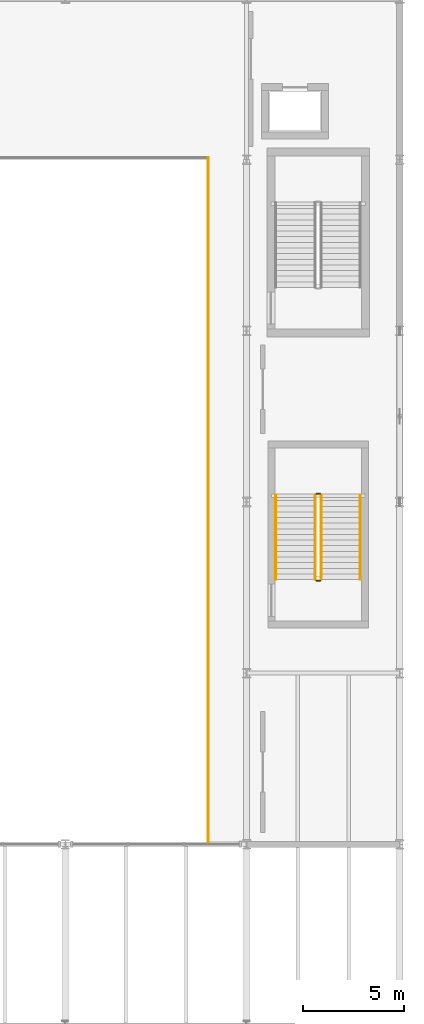
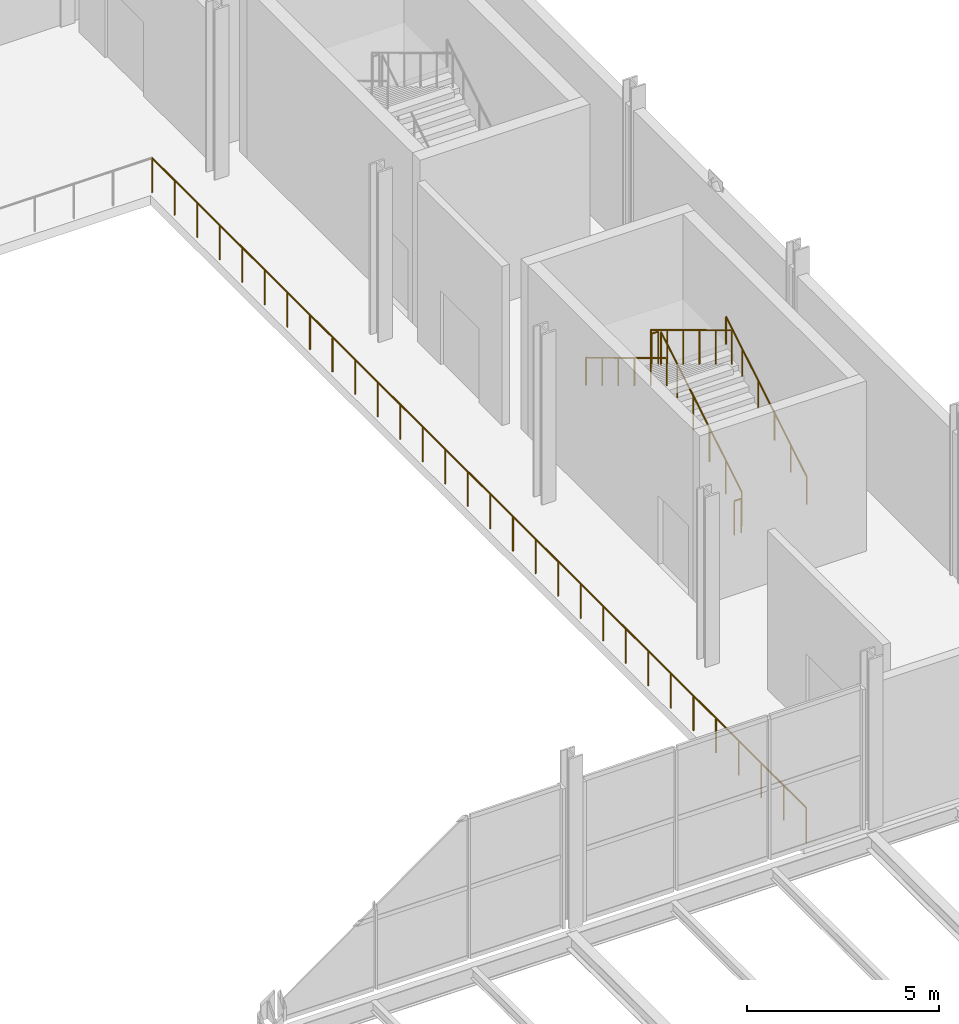
# One storey, part 76 of 78: 7 railings.
"""IFC4 building model written with IfcOpenShell, lengths in metres."""

from ifc_helpers import new_model, si_unit, direction, frame, origin, origin_2d, place, context, subcontext, project, spatial, circle, extrude, material, type_object, element, save


model = new_model("IFC4")

# Units and contexts
model_context = context("Model", 3, precision=1e-05, world=origin(), true_north=direction((0.0, 1.0)))
body_context = subcontext(model_context, "Body", "Model", "MODEL_VIEW")
ifc_project = project(units=[si_unit("LENGTHUNIT", "METRE"), si_unit("AREAUNIT", "SQUARE_METRE"), si_unit("VOLUMEUNIT", "CUBIC_METRE"), si_unit("PLANEANGLEUNIT", "RADIAN"), si_unit("MASSUNIT", "GRAM", prefix="KILO")], contexts=[model_context])

# Site, building, storey
site_placement = place(None, origin())
site = spatial("IfcSite", under=ifc_project, at=site_placement, CompositionType="ELEMENT")
building_placement = place(site_placement, origin())
building = spatial("IfcBuilding", under=site, at=building_placement, Name="Sefraquen Railside Congress Hotel", CompositionType="ELEMENT")
storey_placement = place(building_placement, frame((0.0, 0.0, 6.0)))
storey = spatial("IfcBuildingStorey", under=building, at=storey_placement, Name="L01", CompositionType="ELEMENT", Elevation=6.0)

# Railings
ifc_material = material(Name="Patinated wrought architectural bronze", Category="metal")
railing_type_1 = type_object("IfcRailingType", Name="TRL-BAL-110", PredefinedType="BALUSTRADE", material=ifc_material)
railing_1_placement = place(storey_placement, frame((162.5, 88.10009765625, 0.0)))
element("IfcRailing", 1, at=railing_1_placement, inside=storey, type_object=railing_type_1, Name="Grand Ballroom L01 VIP mezzanine gallery balustrade", PredefinedType="BALUSTRADE", context=body_context, shape_type="SweptSolid", body=[
    extrude(circle(Radius=0.02392578125, at=origin_2d()), frame((0.0, 0.0, 1.09619140625), z_axis=(0.0, -1.0, 0.0), x_axis=(1.0, 0.0, 0.0)), (0.0, 0.0, 1.0), 34.0),
    extrude(circle(Radius=0.02099609375, at=origin_2d()), origin(), (0.0, 0.0, 1.0), 1.072021484375),
    extrude(circle(Radius=0.02099609375, at=origin_2d()), frame((0.0, -1.17236328125, 0.0)), (0.0, 0.0, 1.0), 1.072021484375),
    extrude(circle(Radius=0.02099609375, at=origin_2d()), frame((0.0, -2.3447265625, 0.0)), (0.0, 0.0, 1.0), 1.072021484375),
    extrude(circle(Radius=0.02099609375, at=origin_2d()), frame((0.0, -3.517333984375, 0.0)), (0.0, 0.0, 1.0), 1.072021484375),
    extrude(circle(Radius=0.02099609375, at=origin_2d()), frame((0.0, -4.689697265625, 0.0)), (0.0, 0.0, 1.0), 1.072021484375),
    extrude(circle(Radius=0.02099609375, at=origin_2d()), frame((0.0, -5.862060546875, 0.0)), (0.0, 0.0, 1.0), 1.072021484375),
    extrude(circle(Radius=0.02099609375, at=origin_2d()), frame((0.0, -7.034423828125, 0.0)), (0.0, 0.0, 1.0), 1.072021484375),
    extrude(circle(Radius=0.02099609375, at=origin_2d()), frame((0.0, -8.206787109375, 0.0)), (0.0, 0.0, 1.0), 1.072021484375),
    extrude(circle(Radius=0.02099609375, at=origin_2d()), frame((0.0, -9.37939453125, 0.0)), (0.0, 0.0, 1.0), 1.072021484375),
    extrude(circle(Radius=0.02099609375, at=origin_2d()), frame((0.0, -10.5517578125, 0.0)), (0.0, 0.0, 1.0), 1.072021484375),
    extrude(circle(Radius=0.02099609375, at=origin_2d()), frame((0.0, -11.72412109375, 0.0)), (0.0, 0.0, 1.0), 1.072021484375),
    extrude(circle(Radius=0.02099609375, at=origin_2d()), frame((0.0, -12.896484375, 0.0)), (0.0, 0.0, 1.0), 1.072021484375),
    extrude(circle(Radius=0.02099609375, at=origin_2d()), frame((0.0, -14.06884765625, 0.0)), (0.0, 0.0, 1.0), 1.072021484375),
    extrude(circle(Radius=0.02099609375, at=origin_2d()), frame((0.0, -15.241455078125, 0.0)), (0.0, 0.0, 1.0), 1.072021484375),
    extrude(circle(Radius=0.02099609375, at=origin_2d()), frame((0.0, -16.413818359375, 0.0)), (0.0, 0.0, 1.0), 1.072021484375),
    extrude(circle(Radius=0.02099609375, at=origin_2d()), frame((0.0, -17.586181640625, 0.0)), (0.0, 0.0, 1.0), 1.072021484375),
    extrude(circle(Radius=0.02099609375, at=origin_2d()), frame((0.0, -18.758544921875, 0.0)), (0.0, 0.0, 1.0), 1.072021484375),
    extrude(circle(Radius=0.02099609375, at=origin_2d()), frame((0.0, -19.93115234375, 0.0)), (0.0, 0.0, 1.0), 1.072021484375),
    extrude(circle(Radius=0.02099609375, at=origin_2d()), frame((0.0, -21.103515625, 0.0)), (0.0, 0.0, 1.0), 1.072021484375),
    extrude(circle(Radius=0.02099609375, at=origin_2d()), frame((0.0, -22.27587890625, 0.0)), (0.0, 0.0, 1.0), 1.072021484375),
    extrude(circle(Radius=0.02099609375, at=origin_2d()), frame((0.0, -23.4482421875, 0.0)), (0.0, 0.0, 1.0), 1.072021484375),
    extrude(circle(Radius=0.02099609375, at=origin_2d()), frame((0.0, -24.62060546875, 0.0)), (0.0, 0.0, 1.0), 1.072021484375),
    extrude(circle(Radius=0.02099609375, at=origin_2d()), frame((0.0, -25.793212890625, 0.0)), (0.0, 0.0, 1.0), 1.072021484375),
    extrude(circle(Radius=0.02099609375, at=origin_2d()), frame((0.0, -26.965576171875, 0.0)), (0.0, 0.0, 1.0), 1.072021484375),
    extrude(circle(Radius=0.02099609375, at=origin_2d()), frame((0.0, -28.137939453125, 0.0)), (0.0, 0.0, 1.0), 1.072021484375),
    extrude(circle(Radius=0.02099609375, at=origin_2d()), frame((0.0, -29.310302734375, 0.0)), (0.0, 0.0, 1.0), 1.072021484375),
    extrude(circle(Radius=0.02099609375, at=origin_2d()), frame((0.0, -30.482666015625, 0.0)), (0.0, 0.0, 1.0), 1.072021484375),
    extrude(circle(Radius=0.02099609375, at=origin_2d()), frame((0.0, -31.6552734375, 0.0)), (0.0, 0.0, 1.0), 1.072021484375),
    extrude(circle(Radius=0.02099609375, at=origin_2d()), frame((0.0, -32.82763671875, 0.0)), (0.0, 0.0, 1.0), 1.072021484375),
    extrude(circle(Radius=0.02099609375, at=origin_2d()), frame((0.0, -34.0, 0.0)), (0.0, 0.0, 1.0), 1.072021484375),
])
railing_2_placement = place(storey_placement, frame((168.10009765625, 67.14990234375, 0.168701171875)))
element("IfcRailing", 2, at=railing_2_placement, inside=storey, type_object=railing_type_1, Name="L01 ST-B02 stair guard 1", PredefinedType="BALUSTRADE", context=body_context, shape_type="SweptSolid", body=[
    extrude(circle(Radius=0.02392578125, at=origin_2d()), frame((0.0, 0.0, 1.076171875), z_axis=(0.0, 0.856489757249, 0.516164020179), x_axis=(-1.0, 0.0, 0.0)), (0.0, 0.0, 1.0), 4.904052734375),
    extrude(circle(Radius=0.02099609375, at=origin_2d()), origin(), (0.0, 0.0, 1.0), 1.052001953125),
    extrude(circle(Radius=0.02099609375, at=origin_2d()), frame((0.0, 0.840087890625, 0.50634765625)), (0.0, 0.0, 1.0), 1.052001953125),
    extrude(circle(Radius=0.02099609375, at=origin_2d()), frame((0.0, 1.68017578125, 1.012451171875)), (0.0, 0.0, 1.0), 1.052001953125),
    extrude(circle(Radius=0.02099609375, at=origin_2d()), frame((0.0, 2.52001953125, 1.518798828125)), (0.0, 0.0, 1.0), 1.052001953125),
    extrude(circle(Radius=0.02099609375, at=origin_2d()), frame((0.0, 3.360107421875, 2.02490234375)), (0.0, 0.0, 1.0), 1.052001953125),
    extrude(circle(Radius=0.02099609375, at=origin_2d()), frame((0.0, 4.2001953125, 2.53125)), (0.0, 0.0, 1.0), 1.052001953125),
])
railing_3_placement = place(storey_placement, frame((168.050048828125, 71.39990234375, 2.699951171875)))
element("IfcRailing", 3, at=railing_3_placement, inside=storey, type_object=railing_type_1, Name="L01 ST-B02 stair guard 2", PredefinedType="BALUSTRADE", context=body_context, shape_type="SweptSolid", body=[
    extrude(circle(Radius=0.02392578125, at=origin_2d()), frame((0.0, 0.0, 1.076171875), z_axis=(-1.0, 0.0, 0.0), x_axis=(0.0, -1.0, 0.0)), (0.0, 0.0, 1.0), 0.199951171875),
    extrude(circle(Radius=0.02099609375, at=origin_2d()), origin(), (0.0, 0.0, 1.0), 1.052001953125),
    extrude(circle(Radius=0.02099609375, at=origin_2d()), frame((-0.199951171875, 0.0, 0.0)), (0.0, 0.0, 1.0), 1.052001953125),
])
railing_4_placement = place(storey_placement, frame((167.800048828125, 71.35009765625, 2.86865234375)))
element("IfcRailing", 4, at=railing_4_placement, inside=storey, type_object=railing_type_1, Name="L01 ST-B02 stair guard 3", PredefinedType="BALUSTRADE", context=body_context, shape_type="SweptSolid", body=[
    extrude(circle(Radius=0.02392578125, at=origin_2d()), frame((0.0, 0.0, 1.076171875), z_axis=(0.0, -0.856489757249, 0.516164020179), x_axis=(1.0, 0.0, 0.0)), (0.0, 0.0, 1.0), 4.904052734375),
    extrude(circle(Radius=0.02099609375, at=origin_2d()), origin(), (0.0, 0.0, 1.0), 1.052001953125),
    extrude(circle(Radius=0.02099609375, at=origin_2d()), frame((0.0, -0.840087890625, 0.50634765625)), (0.0, 0.0, 1.0), 1.052001953125),
    extrude(circle(Radius=0.02099609375, at=origin_2d()), frame((0.0, -1.68017578125, 1.012451171875)), (0.0, 0.0, 1.0), 1.052001953125),
    extrude(circle(Radius=0.02099609375, at=origin_2d()), frame((0.0, -2.52001953125, 1.518798828125)), (0.0, 0.0, 1.0), 1.052001953125),
    extrude(circle(Radius=0.02099609375, at=origin_2d()), frame((0.0, -3.360107421875, 2.02490234375)), (0.0, 0.0, 1.0), 1.052001953125),
    extrude(circle(Radius=0.02099609375, at=origin_2d()), frame((0.0, -4.2001953125, 2.53125)), (0.0, 0.0, 1.0), 1.052001953125),
])
railing_5_placement = place(storey_placement, frame((168.050048828125, 67.10009765625, 0.0)))
element("IfcRailing", 5, at=railing_5_placement, inside=storey, type_object=railing_type_1, Name="L01 ST-B02 stair guard 4", PredefinedType="BALUSTRADE", context=body_context, shape_type="SweptSolid", body=[
    extrude(circle(Radius=0.02392578125, at=origin_2d()), frame((0.0, 0.0, 1.076171875), z_axis=(-1.0, 0.0, 0.0), x_axis=(0.0, -1.0, 0.0)), (0.0, 0.0, 1.0), 0.199951171875),
    extrude(circle(Radius=0.02099609375, at=origin_2d()), origin(), (0.0, 0.0, 1.0), 1.052001953125),
    extrude(circle(Radius=0.02099609375, at=origin_2d()), frame((-0.199951171875, 0.0, 0.0)), (0.0, 0.0, 1.0), 1.052001953125),
])
railing_type_2 = type_object("IfcRailingType", Name="TRL-HR-090", PredefinedType="HANDRAIL", material=ifc_material)
railing_6_placement = place(storey_placement, frame((170.050048828125, 67.14990234375, 0.168701171875)))
element("IfcRailing", 6, at=railing_6_placement, inside=storey, type_object=railing_type_2, Name="L01 ST-B02 stair handrail 1", PredefinedType="HANDRAIL", context=body_context, shape_type="SweptSolid", body=[
    extrude(circle(Radius=0.02392578125, at=origin_2d()), frame((0.0, 0.0, 0.8759765625), z_axis=(0.0, 0.856489757249, 0.516164020179), x_axis=(-1.0, 0.0, 0.0)), (0.0, 0.0, 1.0), 4.904052734375),
    extrude(circle(Radius=0.02099609375, at=origin_2d()), origin(), (0.0, 0.0, 1.0), 0.851806640625),
    extrude(circle(Radius=0.02099609375, at=origin_2d()), frame((0.0, 0.840087890625, 0.50634765625)), (0.0, 0.0, 1.0), 0.851806640625),
    extrude(circle(Radius=0.02099609375, at=origin_2d()), frame((0.0, 1.68017578125, 1.012451171875)), (0.0, 0.0, 1.0), 0.851806640625),
    extrude(circle(Radius=0.02099609375, at=origin_2d()), frame((0.0, 2.52001953125, 1.518798828125)), (0.0, 0.0, 1.0), 0.851806640625),
    extrude(circle(Radius=0.02099609375, at=origin_2d()), frame((0.0, 3.360107421875, 2.02490234375)), (0.0, 0.0, 1.0), 0.851806640625),
    extrude(circle(Radius=0.02099609375, at=origin_2d()), frame((0.0, 4.2001953125, 2.53125)), (0.0, 0.0, 1.0), 0.851806640625),
])
railing_7_placement = place(storey_placement, frame((165.85009765625, 71.35009765625, 2.86865234375)))
element("IfcRailing", 7, at=railing_7_placement, inside=storey, type_object=railing_type_2, Name="L01 ST-B02 stair handrail 2", PredefinedType="HANDRAIL", context=body_context, shape_type="SweptSolid", body=[
    extrude(circle(Radius=0.02392578125, at=origin_2d()), frame((0.0, 0.0, 0.8759765625), z_axis=(0.0, -0.856489757249, 0.516164020179), x_axis=(1.0, 0.0, 0.0)), (0.0, 0.0, 1.0), 4.904052734375),
    extrude(circle(Radius=0.02099609375, at=origin_2d()), origin(), (0.0, 0.0, 1.0), 0.851806640625),
    extrude(circle(Radius=0.02099609375, at=origin_2d()), frame((0.0, -0.840087890625, 0.50634765625)), (0.0, 0.0, 1.0), 0.851806640625),
    extrude(circle(Radius=0.02099609375, at=origin_2d()), frame((0.0, -1.68017578125, 1.012451171875)), (0.0, 0.0, 1.0), 0.851806640625),
    extrude(circle(Radius=0.02099609375, at=origin_2d()), frame((0.0, -2.52001953125, 1.518798828125)), (0.0, 0.0, 1.0), 0.851806640625),
    extrude(circle(Radius=0.02099609375, at=origin_2d()), frame((0.0, -3.360107421875, 2.02490234375)), (0.0, 0.0, 1.0), 0.851806640625),
    extrude(circle(Radius=0.02099609375, at=origin_2d()), frame((0.0, -4.2001953125, 2.53125)), (0.0, 0.0, 1.0), 0.851806640625),
])

save(model, "model.ifc")
